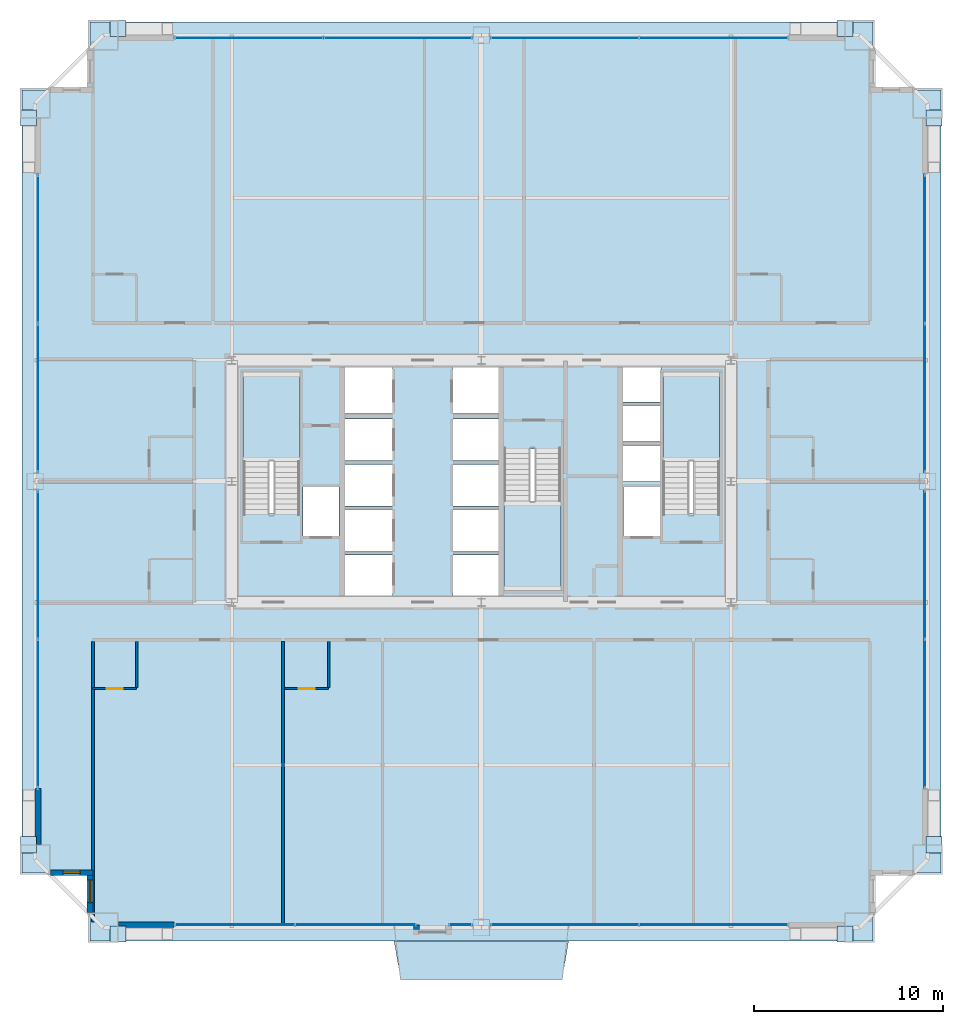
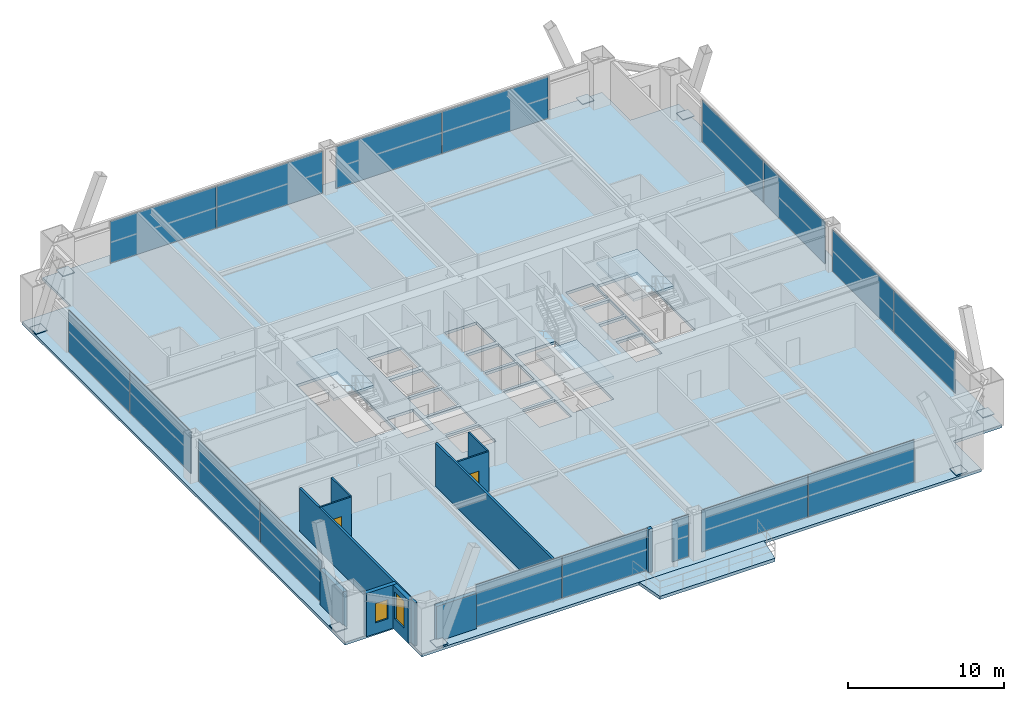
# One storey, part 38 of 43: 25 plates, 11 walls, 5 slabs, 2 doors, 2 windows, 4 openings, 12 elements without a shape of their own.
"""IFC4 building model written with IfcOpenShell, lengths in metres."""

from ifc_helpers import new_model, si_unit, direction, frame, frame_2d, origin, origin_2d, place, context, subcontext, project, spatial, polyline, rectangle, outline, extrude, source, transform, mapped, material, layer, layer_set, type_object, element, fill, aggregate, save


model = new_model("IFC4")

# Units and contexts
model_context = context("Model", 3, precision=1e-05, world=origin(), true_north=direction((0.0, 1.0)))
body_context = subcontext(model_context, "Body", "Model", "MODEL_VIEW")
ifc_project = project(units=[si_unit("LENGTHUNIT", "METRE"), si_unit("AREAUNIT", "SQUARE_METRE"), si_unit("VOLUMEUNIT", "CUBIC_METRE"), si_unit("PLANEANGLEUNIT", "RADIAN"), si_unit("MASSUNIT", "GRAM", prefix="KILO"), si_unit("THERMODYNAMICTEMPERATUREUNIT", "KELVIN"), si_unit("POWERUNIT", "WATT")], contexts=[model_context])

# Site, building, storey
site_placement = place(None, origin())
site = spatial("IfcSite", under=ifc_project, at=site_placement, CompositionType="ELEMENT")
building_placement = place(site_placement, origin())
building = spatial("IfcBuilding", under=site, at=building_placement, Name="Yuzanri Waterfront Tower", CompositionType="ELEMENT")
storey_placement = place(building_placement, frame((0.0, 0.0, 138.0)))
storey = spatial("IfcBuildingStorey", under=building, at=storey_placement, Name="L36", CompositionType="ELEMENT", Elevation=138.0)

# Stair, slab
ifc_material_1 = material(Name="Concrete C40", Category="concrete")
stair_type = type_object("IfcStairType", Name="Concrete C40 Core Dogleg Exit Stair", PredefinedType="HALF_TURN_STAIR", material=ifc_material_1)
stair_1_placement = place(storey_placement, origin())
stair_1 = element("IfcStair", 1, at=stair_1_placement, inside=storey, type_object=stair_type, Name="L36 Smoke-Proof Core Stair ST-01", PredefinedType="HALF_TURN_STAIR")
ifc_material_2 = material(Name="Concrete C40", Category="concrete")
ifc_layer_1 = layer(ifc_material_2, 0.179931640625)
ifc_layer_set_1 = layer_set([ifc_layer_1], Name="Concrete C40")
slab_type_1 = type_object("IfcSlabType", Name="Concrete C40 Stair Half-Landing Slab 180", PredefinedType="LANDING", material=ifc_layer_set_1)
slab_1_placement = place(storey_placement, frame((0.0, 0.0, 1.60009765625)))
slab_1 = element("IfcSlab", 2, at=slab_1_placement, type_object=slab_type_1, Name="ST-01 landing 1", PredefinedType="LANDING", context=body_context, shape_type="SweptSolid", body=[
    extrude(outline(polyline([(27.39990234375, 26.840087890625), (27.39990234375, 31.580078125), (24.39990234375, 31.580078125), (24.39990234375, 26.840087890625), (27.39990234375, 26.840087890625)])), origin(), (0.0, 0.0, 1.0), 0.199951171875),
])
aggregate(stair_1, [slab_1])

stair_2_placement = place(storey_placement, origin())
stair_2 = element("IfcStair", 3, at=stair_2_placement, inside=storey, type_object=stair_type, Name="L36 Smoke-Proof Core Stair ST-02", PredefinedType="HALF_TURN_STAIR")
slab_2_placement = place(storey_placement, frame((0.0, 0.0, 1.60009765625)))
slab_2 = element("IfcSlab", 4, at=slab_2_placement, type_object=slab_type_1, Name="ST-02 landing 1", PredefinedType="LANDING", context=body_context, shape_type="SweptSolid", body=[
    extrude(outline(polyline([(49.60009765625, 26.840087890625), (49.60009765625, 31.580078125), (46.60009765625, 31.580078125), (46.60009765625, 26.840087890625), (49.60009765625, 26.840087890625)])), origin(), (0.0, 0.0, 1.0), 0.199951171875),
])
aggregate(stair_2, [slab_2])

stair_3_placement = place(storey_placement, origin())
stair_3 = element("IfcStair", 5, at=stair_3_placement, inside=storey, type_object=stair_type, Name="L36 Smoke-Proof Core Stair ST-03", PredefinedType="HALF_TURN_STAIR")
slab_3_placement = place(storey_placement, frame((0.0, 0.0, 1.60009765625)))
slab_3 = element("IfcSlab", 6, at=slab_3_placement, type_object=slab_type_1, Name="ST-03 landing 1", PredefinedType="LANDING", context=body_context, shape_type="SweptSolid", body=[
    extrude(outline(polyline([(38.199951171875, 24.760009765625), (38.199951171875, 20.02001953125), (41.199951171875, 20.02001953125), (41.199951171875, 24.760009765625), (38.199951171875, 24.760009765625)])), origin(), (0.0, 0.0, 1.0), 0.199951171875),
])
aggregate(stair_3, [slab_3])

# Slabs
ifc_material_3 = material(Name="Concrete C40", Category="concrete")
ifc_layer_2 = layer(ifc_material_3, 0.25)
ifc_layer_set_2 = layer_set([ifc_layer_2], Name="Concrete C40")
slab_type_2 = type_object("IfcSlabType", Name="Concrete C40 Stepped Gorge Pocket Garden Terrace Slab 250", PredefinedType="FLOOR", material=ifc_layer_set_2)
slab_4_placement = place(storey_placement, frame((0.0, 0.0, -0.25)))
element("IfcSlab", 7, at=slab_4_placement, inside=storey, type_object=slab_type_2, Name="L36 S Cantilevered Engawa Terrace Slab", PredefinedType="FLOOR", context=body_context, shape_type="SweptSolid", body=[
    extrude(outline(polyline([(32.383544921875, 1.5), (41.616455078125, 1.5), (41.2666015625, -0.5458984375), (32.7333984375, -0.5458984375), (32.383544921875, 1.5)])), origin(), (0.0, 0.0, 1.0), 0.25),
])
ifc_material_4 = material(Name="Concrete C40", Category="concrete")
ifc_layer_3 = layer(ifc_material_4, 0.219970703125)
ifc_layer_set_3 = layer_set([ifc_layer_3], Name="Concrete C40")
slab_type_3 = type_object("IfcSlabType", Name="Concrete C40 Tower Typical Structural Floor Slab 220", PredefinedType="FLOOR", material=ifc_layer_set_3)
slab_5_placement = place(storey_placement, frame((0.0, 0.0, -0.219970703125)))
element("IfcSlab", 8, at=slab_5_placement, inside=storey, type_object=slab_type_3, Name="L36 Main Structural Floor Slab", PredefinedType="FLOOR", context=body_context, shape_type="SweptSolid", body=[
    extrude(outline(polyline([(16.300048828125, 1.5), (57.699951171875, 1.5), (57.699951171875, 5.10009765625), (61.300048828125, 5.10009765625), (61.300048828125, 46.5), (57.699951171875, 46.5), (57.699951171875, 50.10009765625), (16.300048828125, 50.10009765625), (16.300048828125, 46.5), (12.699951171875, 46.5), (12.699951171875, 5.10009765625), (16.300048828125, 5.10009765625), (16.300048828125, 1.5)]), holes=[polyline([(27.39990234375, 24.10009765625), (27.39990234375, 31.580078125), (24.39990234375, 31.580078125), (24.39990234375, 24.10009765625), (27.39990234375, 24.10009765625)]), polyline([(49.60009765625, 24.10009765625), (49.60009765625, 31.580078125), (46.60009765625, 31.580078125), (46.60009765625, 24.10009765625), (49.60009765625, 24.10009765625)]), polyline([(38.199951171875, 27.5), (38.199951171875, 20.02001953125), (41.199951171875, 20.02001953125), (41.199951171875, 27.5), (38.199951171875, 27.5)]), polyline([(27.56005859375, 22.89990234375), (29.47998046875, 22.89990234375), (29.47998046875, 25.5), (27.56005859375, 25.5), (27.56005859375, 22.89990234375)]), polyline([(44.52001953125, 22.89990234375), (46.43994140625, 22.89990234375), (46.43994140625, 25.5), (44.52001953125, 25.5), (44.52001953125, 22.89990234375)]), polyline([(29.800048828125, 19.699951171875), (32.300048828125, 19.699951171875), (32.300048828125, 21.89990234375), (29.800048828125, 21.89990234375), (29.800048828125, 19.699951171875)]), polyline([(29.800048828125, 22.10009765625), (32.300048828125, 22.10009765625), (32.300048828125, 24.300048828125), (29.800048828125, 24.300048828125), (29.800048828125, 22.10009765625)]), polyline([(29.800048828125, 24.5), (32.300048828125, 24.5), (32.300048828125, 26.699951171875), (29.800048828125, 26.699951171875), (29.800048828125, 24.5)]), polyline([(29.800048828125, 26.89990234375), (32.300048828125, 26.89990234375), (32.300048828125, 29.10009765625), (29.800048828125, 29.10009765625), (29.800048828125, 26.89990234375)]), polyline([(29.800048828125, 29.39990234375), (32.300048828125, 29.39990234375), (32.300048828125, 31.89990234375), (29.800048828125, 31.89990234375), (29.800048828125, 29.39990234375)]), polyline([(35.5, 19.699951171875), (37.89990234375, 19.699951171875), (37.89990234375, 21.89990234375), (35.5, 21.89990234375), (35.5, 19.699951171875)]), polyline([(35.5, 22.10009765625), (37.89990234375, 22.10009765625), (37.89990234375, 24.300048828125), (35.5, 24.300048828125), (35.5, 22.10009765625)]), polyline([(35.5, 24.5), (37.89990234375, 24.5), (37.89990234375, 26.699951171875), (35.5, 26.699951171875), (35.5, 24.5)]), polyline([(35.5, 26.89990234375), (37.89990234375, 26.89990234375), (37.89990234375, 29.10009765625), (35.5, 29.10009765625), (35.5, 26.89990234375)]), polyline([(35.5, 29.39990234375), (37.89990234375, 29.39990234375), (37.89990234375, 31.89990234375), (35.5, 31.89990234375), (35.5, 29.39990234375)]), polyline([(44.5, 25.800048828125), (46.5, 25.800048828125), (46.5, 27.699951171875), (44.5, 27.699951171875), (44.5, 25.800048828125)]), polyline([(44.5, 27.89990234375), (46.5, 27.89990234375), (46.5, 29.800048828125), (44.5, 29.800048828125), (44.5, 27.89990234375)]), polyline([(44.5, 30.0), (46.5, 30.0), (46.5, 31.89990234375), (44.5, 31.89990234375), (44.5, 30.0)])]), origin(), (0.0, 0.0, 1.0), 0.219970703125),
])

# Plates
ifc_material_5 = material(Name="Steel Q420GJC", Category="steel")
ifc_layer_4 = layer(ifc_material_5, 0.0400390625)
ifc_layer_set_4 = layer_set([ifc_layer_4], Name="Steel Q420GJC")
plate_type_1 = type_object("IfcPlateType", Name="Steel Q420GJC Mega-Brace Gusset and End-Cap Plate 40", PredefinedType="SHEET", material=ifc_layer_set_4)
shared_shape_1 = source(origin(), body_context, "Body", "SweptSolid", [
    extrude(rectangle(XDim=0.85009765625, YDim=0.85009765625, at=origin_2d()), origin(), (0.0, 0.0, 1.0), 0.0400390625),
])
for number, where, z_axis, x_axis, name in (
    (9, (17.780029296875, 1.860107421875, 0.159912109375), (0.0, 0.0, 1.0), (1.0, 0.0, 0.0), "L36 Mega-Brace Foot Cap Plate S-L"),
    (10, (56.219970703125, 1.860107421875, 0.159912109375), (0.0, 0.0, 1.0), (1.0, 0.0, 0.0), "L36 Mega-Brace Foot Cap Plate S-R"),
    (11, (17.780029296875, 49.739990234375, 0.159912109375), (0.0, 0.0, 1.0), (1.0, 0.0, 0.0), "L36 Mega-Brace Foot Cap Plate N-L"),
    (12, (56.219970703125, 49.739990234375, 0.159912109375), (0.0, 0.0, 1.0), (1.0, 0.0, 0.0), "L36 Mega-Brace Foot Cap Plate N-R"),
    (13, (13.06005859375, 6.580078125, 0.159912109375), (0.0, 0.0, 1.0), (1.0, 0.0, 0.0), "L36 Mega-Brace Foot Cap Plate W-L"),
    (14, (13.06005859375, 45.02001953125, 0.159912109375), (0.0, 0.0, 1.0), (1.0, 0.0, 0.0), "L36 Mega-Brace Foot Cap Plate W-R"),
    (15, (60.93994140625, 6.580078125, 0.159912109375), (0.0, 0.0, 1.0), (1.0, 0.0, 0.0), "L36 Mega-Brace Foot Cap Plate E-L"),
    (16, (60.93994140625, 45.02001953125, 0.159912109375), (0.0, 0.0, 1.0), (1.0, 0.0, 0.0), "L36 Mega-Brace Foot Cap Plate E-R"),
):
    element("IfcPlate", number, at=place(storey_placement, frame(where, z_axis=z_axis, x_axis=x_axis)), inside=storey, type_object=plate_type_1, Name=name, PredefinedType="SHEET", context=body_context, shape_type="MappedRepresentation", body=[
        mapped(shared_shape_1, transform((0.0, 0.0, 0.0), scale=1.0)),
    ])

# Curtain wall, plates
ifc_material_6 = material(Name="Anodized Architectural Bronze", Category="metal")
ifc_layer_5 = layer(ifc_material_6, 0.159912109375)
ifc_layer_set_5 = layer_set([ifc_layer_5], Name="Anodized Architectural Bronze")
curtain_wall_type = type_object("IfcCurtainWallType", Name="Anodized Bronze Hotel Upper-Tier Solar-Control Unitized Curtain Wall 7800", PredefinedType="NOTDEFINED", material=ifc_layer_set_5)
curtain_wall_1_placement = place(storey_placement, origin())
curtain_wall_1 = element("IfcCurtainWall", 17, at=curtain_wall_1_placement, inside=storey, type_object=curtain_wall_type, Name="L36 Curtain Wall CW-L36-SR", PredefinedType="NOTDEFINED")
ifc_material_7 = material(Name="Double-Silver Low-E Insulated Glass", Category="glass")
ifc_layer_6 = layer(ifc_material_7, 0.035888671875)
ifc_layer_set_6 = layer_set([ifc_layer_6], Name="Double-Silver Low-E Insulated Glass")
plate_type_2 = type_object("IfcPlateType", Name="Double Silver Low-E Insulated Vision Glass Panel 36", PredefinedType="CURTAIN_PANEL", material=ifc_layer_set_6)
shared_shape_2 = source(origin(), body_context, "Body", "SweptSolid", [
    extrude(rectangle(XDim=7.820068359375, YDim=0.035888671875, at=origin_2d()), origin(), (0.0, 0.0, 1.0), 3.280029296875),
])
plate_1_placement = place(storey_placement, frame((41.39990234375, 2.35009765625, 0.0498046875), z_axis=(0.0, 0.0, 1.0), x_axis=(1.0, 0.0, 0.0)))
plate_1 = element("IfcPlate", 18, at=plate_1_placement, type_object=plate_type_2, Name="CW-L36-SR Vision Glass Panel 01", PredefinedType="CURTAIN_PANEL", context=body_context, shape_type="MappedRepresentation", body=[
    mapped(shared_shape_2, transform((0.0, 0.0, 0.0), scale=1.0)),
])
plate_2_placement = place(storey_placement, frame((49.300048828125, 2.35009765625, 0.0498046875), z_axis=(0.0, 0.0, 1.0), x_axis=(1.0, 0.0, 0.0)))
plate_2 = element("IfcPlate", 19, at=plate_2_placement, type_object=plate_type_2, Name="CW-L36-SR Vision Glass Panel 02", PredefinedType="CURTAIN_PANEL", context=body_context, shape_type="MappedRepresentation", body=[
    mapped(shared_shape_2, transform((0.0, 0.0, 0.0), scale=1.0)),
])
aggregate(curtain_wall_1, [plate_1, plate_2])

curtain_wall_2_placement = place(storey_placement, origin())
curtain_wall_2 = element("IfcCurtainWall", 20, at=curtain_wall_2_placement, inside=storey, type_object=curtain_wall_type, Name="L36 Curtain Wall CW-L36-NL", PredefinedType="NOTDEFINED")
plate_3_placement = place(storey_placement, frame((24.699951171875, 49.25, 0.0498046875), z_axis=(0.0, 0.0, 1.0), x_axis=(1.0, 0.0, 0.0)))
plate_3 = element("IfcPlate", 21, at=plate_3_placement, type_object=plate_type_2, Name="CW-L36-NL Vision Glass Panel 01", PredefinedType="CURTAIN_PANEL", context=body_context, shape_type="MappedRepresentation", body=[
    mapped(shared_shape_2, transform((0.0, 0.0, 0.0), scale=1.0)),
])
plate_4_placement = place(storey_placement, frame((32.60009765625, 49.25, 0.0498046875), z_axis=(0.0, 0.0, 1.0), x_axis=(1.0, 0.0, 0.0)))
plate_4 = element("IfcPlate", 22, at=plate_4_placement, type_object=plate_type_2, Name="CW-L36-NL Vision Glass Panel 02", PredefinedType="CURTAIN_PANEL", context=body_context, shape_type="MappedRepresentation", body=[
    mapped(shared_shape_2, transform((0.0, 0.0, 0.0), scale=1.0)),
])
aggregate(curtain_wall_2, [plate_3, plate_4])

curtain_wall_3_placement = place(storey_placement, origin())
curtain_wall_3 = element("IfcCurtainWall", 23, at=curtain_wall_3_placement, inside=storey, type_object=curtain_wall_type, Name="L36 Curtain Wall CW-L36-NR", PredefinedType="NOTDEFINED")
plate_5_placement = place(storey_placement, frame((41.39990234375, 49.25, 0.0498046875), z_axis=(0.0, 0.0, 1.0), x_axis=(1.0, 0.0, 0.0)))
plate_5 = element("IfcPlate", 24, at=plate_5_placement, type_object=plate_type_2, Name="CW-L36-NR Vision Glass Panel 01", PredefinedType="CURTAIN_PANEL", context=body_context, shape_type="MappedRepresentation", body=[
    mapped(shared_shape_2, transform((0.0, 0.0, 0.0), scale=1.0)),
])
plate_6_placement = place(storey_placement, frame((49.300048828125, 49.25, 0.0498046875), z_axis=(0.0, 0.0, 1.0), x_axis=(1.0, 0.0, 0.0)))
plate_6 = element("IfcPlate", 25, at=plate_6_placement, type_object=plate_type_2, Name="CW-L36-NR Vision Glass Panel 02", PredefinedType="CURTAIN_PANEL", context=body_context, shape_type="MappedRepresentation", body=[
    mapped(shared_shape_2, transform((0.0, 0.0, 0.0), scale=1.0)),
])
aggregate(curtain_wall_3, [plate_5, plate_6])

curtain_wall_4_placement = place(storey_placement, origin())
curtain_wall_4 = element("IfcCurtainWall", 26, at=curtain_wall_4_placement, inside=storey, type_object=curtain_wall_type, Name="L36 Curtain Wall CW-L36-WL", PredefinedType="NOTDEFINED")
plate_7_placement = place(storey_placement, frame((13.550048828125, 13.5, 0.0498046875), z_axis=(0.0, 0.0, 1.0), x_axis=(0.0, 1.0, 0.0)))
plate_7 = element("IfcPlate", 27, at=plate_7_placement, type_object=plate_type_2, Name="CW-L36-WL Vision Glass Panel 01", PredefinedType="CURTAIN_PANEL", context=body_context, shape_type="MappedRepresentation", body=[
    mapped(shared_shape_2, transform((0.0, 0.0, 0.0), scale=1.0)),
])
plate_8_placement = place(storey_placement, frame((13.550048828125, 21.39990234375, 0.0498046875), z_axis=(0.0, 0.0, 1.0), x_axis=(0.0, 1.0, 0.0)))
plate_8 = element("IfcPlate", 28, at=plate_8_placement, type_object=plate_type_2, Name="CW-L36-WL Vision Glass Panel 02", PredefinedType="CURTAIN_PANEL", context=body_context, shape_type="MappedRepresentation", body=[
    mapped(shared_shape_2, transform((0.0, 0.0, 0.0), scale=1.0)),
])
aggregate(curtain_wall_4, [plate_7, plate_8])

curtain_wall_5_placement = place(storey_placement, origin())
curtain_wall_5 = element("IfcCurtainWall", 29, at=curtain_wall_5_placement, inside=storey, type_object=curtain_wall_type, Name="L36 Curtain Wall CW-L36-WR", PredefinedType="NOTDEFINED")
plate_9_placement = place(storey_placement, frame((13.550048828125, 30.199951171875, 0.0498046875), z_axis=(0.0, 0.0, 1.0), x_axis=(0.0, 1.0, 0.0)))
plate_9 = element("IfcPlate", 30, at=plate_9_placement, type_object=plate_type_2, Name="CW-L36-WR Vision Glass Panel 01", PredefinedType="CURTAIN_PANEL", context=body_context, shape_type="MappedRepresentation", body=[
    mapped(shared_shape_2, transform((0.0, 0.0, 0.0), scale=1.0)),
])
plate_10_placement = place(storey_placement, frame((13.550048828125, 38.10009765625, 0.0498046875), z_axis=(0.0, 0.0, 1.0), x_axis=(0.0, 1.0, 0.0)))
plate_10 = element("IfcPlate", 31, at=plate_10_placement, type_object=plate_type_2, Name="CW-L36-WR Vision Glass Panel 02", PredefinedType="CURTAIN_PANEL", context=body_context, shape_type="MappedRepresentation", body=[
    mapped(shared_shape_2, transform((0.0, 0.0, 0.0), scale=1.0)),
])
aggregate(curtain_wall_5, [plate_9, plate_10])

curtain_wall_6_placement = place(storey_placement, origin())
curtain_wall_6 = element("IfcCurtainWall", 32, at=curtain_wall_6_placement, inside=storey, type_object=curtain_wall_type, Name="L36 Curtain Wall CW-L36-EL", PredefinedType="NOTDEFINED")
plate_11_placement = place(storey_placement, frame((60.449951171875, 13.5, 0.0498046875), z_axis=(0.0, 0.0, 1.0), x_axis=(0.0, 1.0, 0.0)))
plate_11 = element("IfcPlate", 33, at=plate_11_placement, type_object=plate_type_2, Name="CW-L36-EL Vision Glass Panel 01", PredefinedType="CURTAIN_PANEL", context=body_context, shape_type="MappedRepresentation", body=[
    mapped(shared_shape_2, transform((0.0, 0.0, 0.0), scale=1.0)),
])
plate_12_placement = place(storey_placement, frame((60.449951171875, 21.39990234375, 0.0498046875), z_axis=(0.0, 0.0, 1.0), x_axis=(0.0, 1.0, 0.0)))
plate_12 = element("IfcPlate", 34, at=plate_12_placement, type_object=plate_type_2, Name="CW-L36-EL Vision Glass Panel 02", PredefinedType="CURTAIN_PANEL", context=body_context, shape_type="MappedRepresentation", body=[
    mapped(shared_shape_2, transform((0.0, 0.0, 0.0), scale=1.0)),
])
aggregate(curtain_wall_6, [plate_11, plate_12])

curtain_wall_7_placement = place(storey_placement, origin())
curtain_wall_7 = element("IfcCurtainWall", 35, at=curtain_wall_7_placement, inside=storey, type_object=curtain_wall_type, Name="L36 Curtain Wall CW-L36-ER", PredefinedType="NOTDEFINED")
plate_13_placement = place(storey_placement, frame((60.449951171875, 30.199951171875, 0.0498046875), z_axis=(0.0, 0.0, 1.0), x_axis=(0.0, 1.0, 0.0)))
plate_13 = element("IfcPlate", 36, at=plate_13_placement, type_object=plate_type_2, Name="CW-L36-ER Vision Glass Panel 01", PredefinedType="CURTAIN_PANEL", context=body_context, shape_type="MappedRepresentation", body=[
    mapped(shared_shape_2, transform((0.0, 0.0, 0.0), scale=1.0)),
])
plate_14_placement = place(storey_placement, frame((60.449951171875, 38.10009765625, 0.0498046875), z_axis=(0.0, 0.0, 1.0), x_axis=(0.0, 1.0, 0.0)))
plate_14 = element("IfcPlate", 37, at=plate_14_placement, type_object=plate_type_2, Name="CW-L36-ER Vision Glass Panel 02", PredefinedType="CURTAIN_PANEL", context=body_context, shape_type="MappedRepresentation", body=[
    mapped(shared_shape_2, transform((0.0, 0.0, 0.0), scale=1.0)),
])
aggregate(curtain_wall_7, [plate_13, plate_14])

curtain_wall_8_placement = place(storey_placement, origin())
curtain_wall_8 = element("IfcCurtainWall", 38, at=curtain_wall_8_placement, inside=storey, type_object=curtain_wall_type, Name="L36 Curtain Wall CW-L36-SL1", PredefinedType="NOTDEFINED")
shared_shape_3 = source(origin(), body_context, "Body", "SweptSolid", [
    extrude(rectangle(XDim=6.327880859375, YDim=0.035888671875, at=origin_2d()), origin(), (0.0, 0.0, 1.0), 3.280029296875),
])
plate_15_placement = place(storey_placement, frame((23.9541015625, 2.35009765625, 0.0498046875), z_axis=(0.0, 0.0, 1.0), x_axis=(1.0, 0.0, 0.0)))
plate_15 = element("IfcPlate", 39, at=plate_15_placement, type_object=plate_type_2, Name="CW-L36-SL1 Vision Glass Panel 01", PredefinedType="CURTAIN_PANEL", context=body_context, shape_type="MappedRepresentation", body=[
    mapped(shared_shape_3, transform((0.0, 0.0, 0.0), scale=1.0)),
])
plate_16_placement = place(storey_placement, frame((30.362060546875, 2.35009765625, 0.0498046875), z_axis=(0.0, 0.0, 1.0), x_axis=(1.0, 0.0, 0.0)))
plate_16 = element("IfcPlate", 40, at=plate_16_placement, type_object=plate_type_2, Name="CW-L36-SL1 Vision Glass Panel 02", PredefinedType="CURTAIN_PANEL", context=body_context, shape_type="MappedRepresentation", body=[
    mapped(shared_shape_3, transform((0.0, 0.0, 0.0), scale=1.0)),
])
aggregate(curtain_wall_8, [plate_15, plate_16])

# Curtain wall, plate
curtain_wall_9_placement = place(storey_placement, origin())
curtain_wall_9 = element("IfcCurtainWall", 41, at=curtain_wall_9_placement, inside=storey, type_object=curtain_wall_type, Name="L36 Curtain Wall CW-L36-SL2", PredefinedType="NOTDEFINED")
shared_shape_4 = source(origin(), body_context, "Body", "SweptSolid", [
    extrude(rectangle(XDim=1.2041015625, YDim=0.035888671875, at=origin_2d()), origin(), (0.0, 0.0, 1.0), 3.280029296875),
])
plate_17_placement = place(storey_placement, frame((35.907958984375, 2.35009765625, 0.0498046875), z_axis=(0.0, 0.0, 1.0), x_axis=(1.0, 0.0, 0.0)))
plate_17 = element("IfcPlate", 42, at=plate_17_placement, type_object=plate_type_2, Name="CW-L36-SL2 Vision Glass Panel 01", PredefinedType="CURTAIN_PANEL", context=body_context, shape_type="MappedRepresentation", body=[
    mapped(shared_shape_4, transform((0.0, 0.0, 0.0), scale=1.0)),
])
aggregate(curtain_wall_9, [plate_17])

# Wall, opening, door
ifc_material_8 = material(Name="Moisture-Resistant Gypsum Stud Wall", Category="gypsum")
ifc_layer_7 = layer(ifc_material_8, 0.1201171875)
ifc_layer_set_7 = layer_set([ifc_layer_7], Name="Moisture-Resistant Gypsum Stud Wall")
wall_type_1 = type_object("IfcWallType", Name="Bathroom and Kitchen Wet Partition 120", PredefinedType="PARTITIONING", material=ifc_layer_set_7)
wall_1_placement = place(storey_placement, frame((16.43994140625, 14.840087890625, 0.0), z_axis=(0.0, 0.0, 1.0), x_axis=(1.0, 0.0, 0.0)))
wall_1 = element("IfcWall", 43, at=wall_1_placement, inside=storey, type_object=wall_type_1, Name="L36 Partition UW-L36-S1-BS", PredefinedType="PARTITIONING", context=body_context, shape_type="SweptSolid", body=[
    extrude(rectangle(XDim=2.330078125, YDim=0.1201171875, at=frame_2d((1.1650390625, 0.0))), origin(), (0.0, 0.0, 1.0), 3.3798828125),
])
opening_1_placement = place(wall_1_placement, frame((0.739990234375, 0.0, 0.0)))
opening_1 = element("IfcOpeningElement", 44, at=opening_1_placement, cuts=wall_1, Name="Opening ID-0850", PredefinedType="OPENING", context=body_context, shape_type="SweptSolid", body=[
    extrude(rectangle(XDim=0.85009765625, YDim=2.10009765625, at=frame_2d((0.425048828125, 1.050048828125))), frame((0.0, 0.074951171875, 0.0), z_axis=(0.0, -1.0, 0.0), x_axis=(1.0, 0.0, 0.0)), (0.0, 0.0, 1.0), 0.14990234375),
])
ifc_material_9 = material(Name="Moisture-Resistant Lacquered Timber", Category="wood")
door_type = type_object("IfcDoorType", Name="En-Suite Bathroom and Kitchen Swing Door 850x2100", OperationType="NOTDEFINED", PredefinedType="DOOR", material=ifc_material_9)
shared_shape_5 = source(origin(), body_context, "Body", "SweptSolid", [
    extrude(rectangle(XDim=0.85009765625, YDim=2.10009765625, at=frame_2d((0.425048828125, 1.050048828125))), frame((0.0, 0.02490234375, 0.0), z_axis=(0.0, -1.0, 0.0), x_axis=(1.0, 0.0, 0.0)), (0.0, 0.0, 1.0), 0.050048828125),
])
door_1_placement = place(opening_1_placement, origin())
door_1 = element("IfcDoor", 45, at=door_1_placement, inside=storey, type_object=door_type, Name="L36 Guest En-Suite Door", OperationType="SINGLE_SWING_LEFT", OverallHeight=2.10009765625, OverallWidth=0.85009765625, PredefinedType="DOOR", context=body_context, shape_type="MappedRepresentation", body=[
    mapped(shared_shape_5, transform((0.0, 0.0, 0.0), scale=1.0)),
])
fill(opening_1, door_1)

wall_2_placement = place(storey_placement, frame((26.593994140625, 14.840087890625, 0.0), z_axis=(0.0, 0.0, 1.0), x_axis=(1.0, 0.0, 0.0)))
wall_2 = element("IfcWall", 46, at=wall_2_placement, inside=storey, type_object=wall_type_1, Name="L36 Partition UW-L36-S2-BS", PredefinedType="PARTITIONING", context=body_context, shape_type="SweptSolid", body=[
    extrude(rectangle(XDim=2.330078125, YDim=0.1201171875, at=frame_2d((1.1650390625, 0.0))), origin(), (0.0, 0.0, 1.0), 3.3798828125),
])
opening_2_placement = place(wall_2_placement, frame((0.739990234375, 0.0, 0.0)))
opening_2 = element("IfcOpeningElement", 47, at=opening_2_placement, cuts=wall_2, Name="Opening ID-0850", PredefinedType="OPENING", context=body_context, shape_type="SweptSolid", body=[
    extrude(rectangle(XDim=0.85009765625, YDim=2.10009765625, at=frame_2d((0.425048828125, 1.050048828125))), frame((0.0, 0.074951171875, 0.0), z_axis=(0.0, -1.0, 0.0), x_axis=(1.0, 0.0, 0.0)), (0.0, 0.0, 1.0), 0.14990234375),
])
door_2_placement = place(opening_2_placement, origin())
door_2 = element("IfcDoor", 48, at=door_2_placement, inside=storey, type_object=door_type, Name="L36 Guest En-Suite Door", OperationType="SINGLE_SWING_LEFT", OverallHeight=2.10009765625, OverallWidth=0.85009765625, PredefinedType="DOOR", context=body_context, shape_type="MappedRepresentation", body=[
    mapped(shared_shape_5, transform((0.0, 0.0, 0.0), scale=1.0)),
])
fill(opening_2, door_2)

# Wall, opening, window
ifc_material_10 = material(Name="Honed Chongqing Dark Basalt Stone", Category="masonry")
ifc_layer_8 = layer(ifc_material_10, 0.300048828125)
ifc_layer_set_8 = layer_set([ifc_layer_8], Name="Honed Chongqing Dark Basalt Stone")
wall_type_2 = type_object("IfcWallType", Name="Bronze Rainscreen Insulated Spandrel Portal Wall 300", PredefinedType="SOLIDWALL", material=ifc_layer_set_8)
wall_3_placement = place(storey_placement, frame((14.199951171875, 5.10009765625, 0.0), z_axis=(0.0, 0.0, 1.0), x_axis=(1.0, 0.0, 0.0)))
wall_3 = element("IfcWall", 49, at=wall_3_placement, inside=storey, type_object=wall_type_2, Name="L36 Notched Corner Masonry Wall SW-X", PredefinedType="SOLIDWALL", context=body_context, shape_type="SweptSolid", body=[
    extrude(rectangle(XDim=2.25, YDim=0.300048828125, at=frame_2d((1.125, 0.0))), origin(), (0.0, 0.0, 1.0), 3.3798828125),
])
opening_3_placement = place(wall_3_placement, frame((0.675048828125, 0.0, 0.85009765625)))
opening_3 = element("IfcOpeningElement", 50, at=opening_3_placement, cuts=wall_3, Name="Opening WN-05", PredefinedType="OPENING", context=body_context, shape_type="SweptSolid", body=[
    extrude(rectangle(XDim=0.89990234375, YDim=1.5, at=frame_2d((0.449951171875, 0.75))), frame((0.0, 0.1650390625, 0.0), z_axis=(0.0, -1.0, 0.0), x_axis=(1.0, 0.0, 0.0)), (0.0, 0.0, 1.0), 0.329833984375),
])
ifc_material_11 = material(Name="Double-Silver Low-E Insulated Glass", Category="glass")
window_type_1 = type_object("IfcWindowType", Name="Anodized Bronze Service and Stairwell Smoke-Vent Window 900x1500", PartitioningType="SINGLE_PANEL", PredefinedType="WINDOW", material=ifc_material_11)
shared_shape_6 = source(origin(), body_context, "Body", "SweptSolid", [
    extrude(rectangle(XDim=0.89990234375, YDim=1.5, at=frame_2d((0.449951171875, 0.75))), frame((0.0, 0.030029296875, 0.0), z_axis=(0.0, -1.0, 0.0), x_axis=(1.0, 0.0, 0.0)), (0.0, 0.0, 1.0), 0.06005859375),
])
window_1_placement = place(opening_3_placement, origin())
window_1 = element("IfcWindow", 51, at=window_1_placement, inside=storey, type_object=window_type_1, Name="L36 Notched Corner Window SW-X", OverallHeight=1.5, OverallWidth=0.89990234375, PartitioningType="SINGLE_PANEL", PredefinedType="WINDOW", context=body_context, shape_type="MappedRepresentation", body=[
    mapped(shared_shape_6, transform((0.0, 0.0, 0.0), scale=1.0)),
])
fill(opening_3, window_1)

wall_4_placement = place(storey_placement, frame((16.300048828125, 5.25, 0.0), z_axis=(0.0, 0.0, 1.0), x_axis=(0.0, -1.0, 0.0)))
wall_4 = element("IfcWall", 52, at=wall_4_placement, inside=storey, type_object=wall_type_2, Name="L36 Notched Corner Masonry Wall SW-Y", PredefinedType="SOLIDWALL", context=body_context, shape_type="SweptSolid", body=[
    extrude(rectangle(XDim=2.25, YDim=0.300048828125, at=frame_2d((1.125, 0.0))), origin(), (0.0, 0.0, 1.0), 3.3798828125),
])
opening_4_placement = place(wall_4_placement, frame((0.52490234375, 0.0, 0.85009765625)))
opening_4 = element("IfcOpeningElement", 53, at=opening_4_placement, cuts=wall_4, Name="Opening WN-02", PredefinedType="OPENING", context=body_context, shape_type="SweptSolid", body=[
    extrude(rectangle(XDim=1.199951171875, YDim=2.10009765625, at=frame_2d((0.60009765625, 1.050048828125))), frame((0.0, 0.1650390625, 0.0), z_axis=(0.0, -1.0, 0.0), x_axis=(1.0, 0.0, 0.0)), (0.0, 0.0, 1.0), 0.329833984375),
])
ifc_material_12 = material(Name="Double-Silver Low-E Insulated Glass", Category="glass")
window_type_2 = type_object("IfcWindowType", Name="Anodized Bronze Notched Corner Deep-Set Slot Window 1200x2100", PartitioningType="SINGLE_PANEL", PredefinedType="WINDOW", material=ifc_material_12)
shared_shape_7 = source(origin(), body_context, "Body", "SweptSolid", [
    extrude(rectangle(XDim=1.199951171875, YDim=2.10009765625, at=frame_2d((0.60009765625, 1.050048828125))), frame((0.0, 0.030029296875, 0.0), z_axis=(0.0, -1.0, 0.0), x_axis=(1.0, 0.0, 0.0)), (0.0, 0.0, 1.0), 0.06005859375),
])
window_2_placement = place(opening_4_placement, origin())
window_2 = element("IfcWindow", 54, at=window_2_placement, inside=storey, type_object=window_type_2, Name="L36 Notched Corner Window SW-Y", OverallHeight=2.10009765625, OverallWidth=1.199951171875, PartitioningType="SINGLE_PANEL", PredefinedType="WINDOW", context=body_context, shape_type="MappedRepresentation", body=[
    mapped(shared_shape_7, transform((0.0, 0.0, 0.0), scale=1.0)),
])
fill(opening_4, window_2)

# Walls
shared_shape_8 = source(origin(), body_context, "Body", "SweptSolid", [
    extrude(rectangle(XDim=0.25, YDim=0.300048828125, at=frame_2d((0.125, 0.0))), origin(), (0.0, 0.0, 1.0), 3.3798828125),
])
wall_5_placement = place(storey_placement, frame((33.56591796875, 2.35009765625, 0.0), z_axis=(0.0, 0.0, 1.0), x_axis=(0.0, -1.0, 0.0)))
element("IfcWall", 55, at=wall_5_placement, inside=storey, type_object=wall_type_2, Name="L36 S Terrace Portal Left Return", PredefinedType="SOLIDWALL", context=body_context, shape_type="MappedRepresentation", body=[
    mapped(shared_shape_8, transform((0.0, 0.0, 0.0), scale=1.0)),
])
shared_shape_9 = source(origin(), body_context, "Body", "SweptSolid", [
    extrude(rectangle(XDim=2.949951171875, YDim=0.300048828125, at=frame_2d((1.47509765625, 0.0))), origin(), (0.0, 0.0, 1.0), 2.77490234375),
])
for number, where, z_axis, x_axis, name in (
    (56, (17.800048828125, 2.35009765625, 0.0), (0.0, 0.0, 1.0), (1.0, 0.0, 0.0), "L36 S Left Braced Masonry Shoulder"),
    (57, (13.550048828125, 6.60009765625, 0.0), (0.0, 0.0, 1.0), (0.0, 1.0, 0.0), "L36 W Left Braced Masonry Shoulder"),
):
    element("IfcWall", number, at=place(storey_placement, frame(where, z_axis=z_axis, x_axis=x_axis)), inside=storey, type_object=wall_type_2, Name=name, PredefinedType="SOLIDWALL", context=body_context, shape_type="MappedRepresentation", body=[
        mapped(shared_shape_9, transform((0.0, 0.0, 0.0), scale=1.0)),
    ])
shared_shape_10 = source(origin(), body_context, "Body", "SweptSolid", [
    extrude(rectangle(XDim=2.420166015625, YDim=0.1201171875, at=frame_2d((1.2099609375, 0.0))), origin(), (0.0, 0.0, 1.0), 3.3798828125),
])
for number, where, z_axis, x_axis, name in (
    (58, (18.77001953125, 14.89990234375, 0.0), (0.0, 0.0, 1.0), (0.0, 1.0, 0.0), "L36-S1 En-Suite Side Wall"),
    (59, (28.924072265625, 14.89990234375, 0.0), (0.0, 0.0, 1.0), (0.0, 1.0, 0.0), "L36-S2 En-Suite Side Wall"),
):
    element("IfcWall", number, at=place(storey_placement, frame(where, z_axis=z_axis, x_axis=x_axis)), inside=storey, type_object=wall_type_1, Name=name, PredefinedType="PARTITIONING", context=body_context, shape_type="MappedRepresentation", body=[
        mapped(shared_shape_10, transform((0.0, 0.0, 0.0), scale=1.0)),
    ])
ifc_material_13 = material(Name="Gypsum Fireboard Acoustic Stud Wall", Category="gypsum")
ifc_layer_9 = layer(ifc_material_13, 0.159912109375)
ifc_layer_set_9 = layer_set([ifc_layer_9], Name="Gypsum Fireboard Acoustic Stud Wall")
wall_type_3 = type_object("IfcWallType", Name="Acoustic Suite Demising Partition 160", PredefinedType="PARTITIONING", material=ifc_layer_set_9)
shared_shape_11 = source(origin(), body_context, "Body", "SweptSolid", [
    extrude(rectangle(XDim=14.969970703125, YDim=0.159912109375, at=frame_2d((7.48486328125, 0.0))), origin(), (0.0, 0.0, 1.0), 3.3798828125),
])
wall_6_placement = place(storey_placement, frame((26.513916015625, 2.35009765625, 0.0), z_axis=(0.0, 0.0, 1.0), x_axis=(0.0, 1.0, 0.0)))
element("IfcWall", 60, at=wall_6_placement, inside=storey, type_object=wall_type_3, Name="L36-S1 Party Wall", PredefinedType="PARTITIONING", context=body_context, shape_type="MappedRepresentation", body=[
    mapped(shared_shape_11, transform((0.0, 0.0, 0.0), scale=1.0)),
])
shared_shape_12 = source(origin(), body_context, "Body", "SweptSolid", [
    extrude(rectangle(XDim=14.820068359375, YDim=0.159912109375, at=frame_2d((7.41015625, 0.0))), origin(), (0.0, 0.0, 1.0), 3.3798828125),
])
wall_7_placement = place(storey_placement, frame((16.449951171875, 2.5, 0.0), z_axis=(0.0, 0.0, 1.0), x_axis=(0.0, 1.0, 0.0)))
element("IfcWall", 61, at=wall_7_placement, inside=storey, type_object=wall_type_3, Name="L36 South Band West End Wall", PredefinedType="PARTITIONING", context=body_context, shape_type="MappedRepresentation", body=[
    mapped(shared_shape_12, transform((0.0, 0.0, 0.0), scale=1.0)),
])

save(model, "model.ifc")
